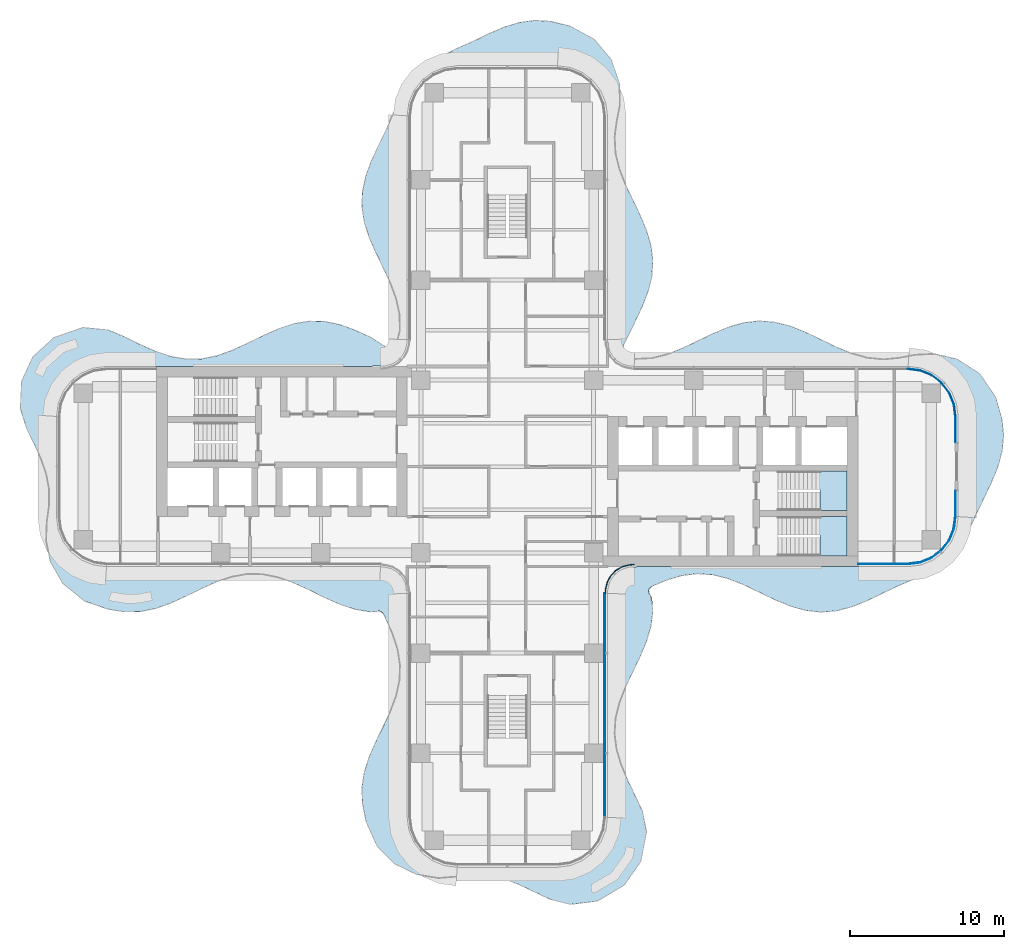
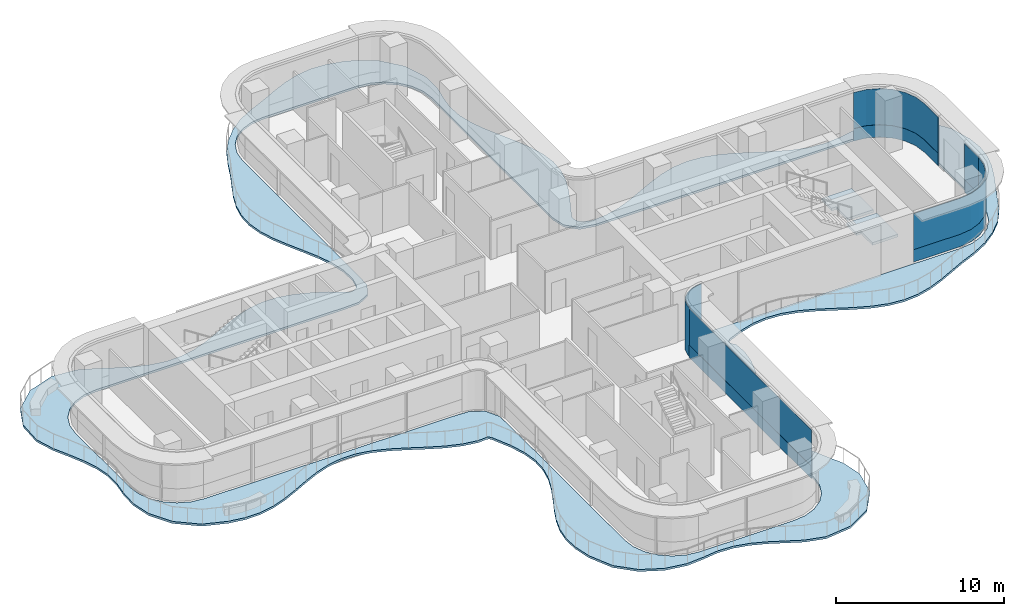
# One storey, part 10 of 17: 9 plates, 3 slabs, 7 elements without a shape of their own.
"""IFC4 building model written with IfcOpenShell, lengths in metres."""

from ifc_helpers import new_model, si_unit, direction, frame, origin, place, context, subcontext, project, spatial, polyline, outline, extrude, source, transform, mapped, material, layer, layer_set, type_object, element, aggregate, save


model = new_model("IFC4")

# Units and contexts
model_context = context("Model", 3, precision=1e-05, world=origin(), true_north=direction((0.0, 1.0)))
body_context = subcontext(model_context, "Body", "Model", "MODEL_VIEW")
ifc_project = project(units=[si_unit("LENGTHUNIT", "METRE"), si_unit("AREAUNIT", "SQUARE_METRE"), si_unit("VOLUMEUNIT", "CUBIC_METRE"), si_unit("PLANEANGLEUNIT", "RADIAN"), si_unit("MASSUNIT", "GRAM", prefix="KILO")], contexts=[model_context])

# Site, building, storey
site_placement = place(None, origin())
site = spatial("IfcSite", under=ifc_project, at=site_placement, CompositionType="ELEMENT")
building_placement = place(site_placement, origin())
building = spatial("IfcBuilding", under=site, at=building_placement, Name="Trellis Farm Tower", CompositionType="ELEMENT")
storey_placement = place(building_placement, frame((0.0, 0.0, 181.5)))
storey = spatial("IfcBuildingStorey", under=building, at=storey_placement, Name="L39", CompositionType="ELEMENT", Elevation=181.5)

# Slab
ifc_material_1 = material(Name="Concrete C40/50", Category="concrete")
ifc_layer_1 = layer(ifc_material_1, 0.14990234375)
ifc_layer_set_1 = layer_set([ifc_layer_1], Name="Balcony slab 150")
slab_type_1 = type_object("IfcSlabType", Name="Balcony slab 150", PredefinedType="FLOOR", material=ifc_layer_set_1)
slab_1_placement = place(storey_placement, frame((0.0, 0.0, -0.14990234375)))
element("IfcSlab", 1, at=slab_1_placement, inside=storey, type_object=slab_type_1, Name="Balcony slab", PredefinedType="FLOOR", context=body_context, shape_type="SweptSolid", body=[
    extrude(outline(polyline([(-9.884765625, -9.2626953125), (-10.86083984375, -8.93896484375), (-10.87451171875, -8.93359375), (-11.853515625, -8.498291015625), (-11.858642578125, -8.49609375), (-12.861328125, -8.0048828125), (-12.863037109375, -8.004150390625), (-13.86865234375, -7.542724609375), (-13.874755859375, -7.540283203125), (-14.876220703125, -7.183837890625), (-14.88671875, -7.180908203125), (-15.88134765625, -6.984130859375), (-15.89501953125, -6.982666015625), (-16.880615234375, -6.972412109375), (-16.894287109375, -6.973388671875), (-17.8740234375, -7.14697265625), (-17.885009765625, -7.14990234375), (-18.865478515625, -7.481201171875), (-18.8720703125, -7.483642578125), (-19.845703125, -7.91943359375), (-19.84814453125, -7.920654296875), (-20.85205078125, -8.41259765625), (-20.855712890625, -8.414306640625), (-21.852294921875, -8.869384765625), (-21.864501953125, -8.87451171875), (-22.827880859375, -9.216064453125), (-22.8486328125, -9.2216796875), (-23.819580078125, -9.4150390625), (-23.847412109375, -9.41796875), (-24.850341796875, -9.427490234375), (-24.87646484375, -9.425537109375), (-25.90869140625, -9.25341796875), (-25.933349609375, -9.247314453125), (-27.420166015625, -8.7314453125), (-27.444091796875, -8.720703125), (-27.4736328125, -8.7041015625), (-27.4951171875, -8.689697265625), (-28.79638671875, -7.63134765625), (-28.815673828125, -7.6123046875), (-28.838134765625, -7.586181640625), (-28.854248046875, -7.563232421875), (-29.639404296875, -6.19775390625), (-29.656494140625, -6.152587890625), (-29.919921875, -4.843505859375), (-29.9228515625, -4.808349609375), (-29.87890625, -3.591064453125), (-29.877685546875, -3.575927734375), (-29.725830078125, -2.478759765625), (-29.72509765625, -2.46826171875), (-29.729248046875, -1.473388671875), (-29.730712890625, -1.459716796875), (-29.91748046875, -0.480224609375), (-29.92041015625, -0.4697265625), (-30.25, 0.481201171875), (-30.252685546875, 0.487548828125), (-30.70703125, 1.492919921875), (-30.7080078125, 1.4951171875), (-31.188720703125, 2.475830078125), (-31.197265625, 2.496826171875), (-31.5888671875, 3.739013671875), (-31.594482421875, 3.764892578125), (-31.598876953125, 3.798583984375), (-31.60009765625, 3.82470703125), (-31.525390625, 5.461669921875), (-31.521484375, 5.48974609375), (-31.5126953125, 5.52587890625), (-31.50341796875, 5.552734375), (-30.82470703125, 7.046875), (-30.8095703125, 7.072998046875), (-30.78662109375, 7.104736328125), (-30.766357421875, 7.12744140625), (-29.40478515625, 8.36962890625), (-29.380126953125, 8.387939453125), (-29.345947265625, 8.408203125), (-29.318115234375, 8.4208984375), (-27.593994140625, 9.00927734375), (-27.563232421875, 9.016357421875), (-27.523193359375, 9.02099609375), (-27.490966796875, 9.021484375), (-25.921875, 8.8681640625), (-25.878173828125, 8.85693359375), (-24.856689453125, 8.42529296875), (-24.84912109375, 8.421875), (-23.844970703125, 7.929931640625), (-23.842529296875, 7.9287109375), (-22.837646484375, 7.479248046875), (-22.830810546875, 7.4765625), (-21.830078125, 7.1416015625), (-21.81884765625, 7.138916015625), (-20.82568359375, 6.9697265625), (-20.811767578125, 6.96875), (-19.82763671875, 6.9873046875), (-19.81396484375, 6.989013671875), (-18.834716796875, 7.18896484375), (-18.824462890625, 7.19189453125), (-17.843505859375, 7.543701171875), (-17.83740234375, 7.546142578125), (-16.851806640625, 7.99853515625), (-16.85009765625, 7.999267578125), (-15.85546875, 8.48681640625), (-15.850341796875, 8.489013671875), (-14.85546875, 8.93212890625), (-14.841552734375, 8.9375), (-13.855224609375, 9.26416015625), (-13.832763671875, 9.269775390625), (-12.855712890625, 9.43212890625), (-12.82763671875, 9.43408203125), (-11.85693359375, 9.41162109375), (-11.830078125, 9.408447265625), (-10.8828125, 9.212158203125), (-10.8623046875, 9.206298828125), (-9.873779296875, 8.85009765625), (-9.862060546875, 8.84521484375), (-8.8828125, 8.39404296875), (-8.864013671875, 8.3837890625), (-8.148681640625, 7.921142578125), (-8.142822265625, 7.917724609375), (-7.853271484375, 7.764892578125), (-7.8349609375, 7.758056640625), (-7.689697265625, 7.72509765625), (-7.65234375, 7.726318359375), (-7.509521484375, 7.76904296875), (-7.4921875, 7.77685546875), (-7.288818359375, 7.90087890625), (-7.276611328125, 7.91015625), (-7.190673828125, 7.990234375), (-7.17333984375, 8.014404296875), (-7.125732421875, 8.12158203125), (-7.12109375, 8.135986328125), (-6.972412109375, 8.8125), (-6.97119140625, 8.821533203125), (-6.9638671875, 8.897216796875), (-6.963623046875, 8.90673828125), (-6.99658203125, 9.8828125), (-6.998291015625, 9.89599609375), (-7.21142578125, 10.87548828125), (-7.21435546875, 10.885498046875), (-7.56494140625, 11.840087890625), (-7.567138671875, 11.845703125), (-8.03271484375, 12.8515625), (-8.033203125, 12.85302734375), (-8.523681640625, 13.85546875), (-8.526123046875, 13.86083984375), (-8.956298828125, 14.8388671875), (-8.961669921875, 14.85302734375), (-9.277099609375, 15.82861328125), (-9.282470703125, 15.851806640625), (-9.4375, 16.854736328125), (-9.439208984375, 16.88330078125), (-9.402099609375, 17.853515625), (-9.3984375, 17.88037109375), (-9.182373046875, 18.85205078125), (-9.176513671875, 18.871826171875), (-8.811767578125, 19.8505859375), (-8.80712890625, 19.861572265625), (-8.3466796875, 20.84912109375), (-8.345458984375, 20.851806640625), (-7.863525390625, 21.837158203125), (-7.86181640625, 21.841064453125), (-7.405517578125, 22.927001953125), (-7.40185546875, 22.93505859375), (-6.871337890625, 24.014892578125), (-6.858154296875, 24.03662109375), (-6.182861328125, 24.97021484375), (-6.169921875, 24.985595703125), (-5.413818359375, 25.779541015625), (-5.39697265625, 25.794921875), (-4.457763671875, 26.5205078125), (-4.433837890625, 26.535400390625), (-3.318115234375, 27.101806640625), (-3.310546875, 27.105224609375), (-2.255859375, 27.568603515625), (-2.253173828125, 27.570068359375), (-1.248291015625, 28.06005859375), (-1.2421875, 28.06298828125), (-0.248291015625, 28.4921875), (-0.233154296875, 28.497802734375), (0.751708984375, 28.801513671875), (0.775390625, 28.806884765625), (1.7509765625, 28.941650390625), (1.779541015625, 28.94287109375), (2.749755859375, 28.89111328125), (2.77685546875, 28.88720703125), (4.047119140625, 28.583251953125), (4.08447265625, 28.56884765625), (5.61083984375, 27.730224609375), (5.63427734375, 27.71435546875), (5.66162109375, 27.69189453125), (5.68115234375, 27.67236328125), (6.729736328125, 26.42041015625), (6.745361328125, 26.39794921875), (6.7626953125, 26.367431640625), (6.774169921875, 26.341796875), (7.26904296875, 24.886474609375), (7.27685546875, 24.8408203125), (7.301025390625, 23.474609375), (7.29833984375, 23.443603515625), (7.090087890625, 22.359619140625), (7.089599609375, 22.35546875), (6.95947265625, 21.388916015625), (6.958740234375, 21.374755859375), (7.018310546875, 20.32568359375), (7.0205078125, 20.3125), (7.2587890625, 19.333251953125), (7.26171875, 19.323974609375), (7.6318359375, 18.36572265625), (7.63427734375, 18.3603515625), (8.5927734375, 16.35986328125), (8.595703125, 16.353515625), (9.02099609375, 15.351806640625), (9.026611328125, 15.336181640625), (9.31298828125, 14.3798828125), (9.318115234375, 14.356201171875), (9.443359375, 13.38623046875), (9.4443359375, 13.357421875), (9.379638671875, 12.3544921875), (9.37548828125, 12.327880859375), (9.134033203125, 11.355712890625), (9.128173828125, 11.337158203125), (8.74462890625, 10.35693359375), (8.740478515625, 10.347412109375), (8.27099609375, 9.3583984375), (8.269775390625, 9.355712890625), (7.5478515625, 7.911376953125), (7.540283203125, 7.884521484375), (7.52001953125, 7.655029296875), (7.52294921875, 7.627197265625), (7.593505859375, 7.391845703125), (7.600341796875, 7.375732421875), (7.66796875, 7.2587890625), (7.69140625, 7.23388671875), (7.80419921875, 7.15966796875), (7.819580078125, 7.15185546875), (8.29248046875, 6.979736328125), (8.307861328125, 6.97607421875), (8.43701171875, 6.9580078125), (8.453369140625, 6.95751953125), (9.384521484375, 7.03076171875), (9.397216796875, 7.032958984375), (10.376708984375, 7.283935546875), (10.3857421875, 7.286865234375), (11.345947265625, 7.66650390625), (11.350830078125, 7.66845703125), (13.35009765625, 8.628173828125), (13.357177734375, 8.63134765625), (14.35888671875, 9.04931640625), (14.375244140625, 9.054931640625), (15.330078125, 9.329345703125), (15.3544921875, 9.334228515625), (16.324462890625, 9.44580078125), (16.35302734375, 9.4462890625), (17.326171875, 9.371826171875), (17.352294921875, 9.36767578125), (18.354736328125, 9.108642578125), (18.372802734375, 9.1025390625), (19.353515625, 8.71044921875), (19.36279296875, 8.706298828125), (21.34033203125, 7.755615234375), (21.343994140625, 7.75390625), (22.327392578125, 7.34619140625), (22.33544921875, 7.34326171875), (23.314697265625, 7.065185546875), (23.327392578125, 7.062744140625), (24.375, 6.953857421875), (24.389404296875, 6.953857421875), (25.3623046875, 7.040283203125), (25.36962890625, 7.04150390625), (26.451171875, 7.249267578125), (26.47216796875, 7.251708984375), (27.716796875, 7.31103515625), (27.758544921875, 7.30712890625), (29.168701171875, 6.97412109375), (29.215576171875, 6.954345703125), (30.596923828125, 6.064453125), (30.620361328125, 6.0458984375), (30.646484375, 6.02001953125), (30.665771484375, 5.997314453125), (31.663330078125, 4.5380859375), (31.68359375, 4.49462890625), (32.093994140625, 3.055419921875), (32.098876953125, 3.02880859375), (32.197021484375, 2.029052734375), (32.197021484375, 2.00048828125), (32.10302734375, 0.997802734375), (32.098388671875, 0.97216796875), (31.832275390625, -0.001220703125), (31.826416015625, -0.018310546875), (31.425537109375, -1.0), (31.422119140625, -1.0078125), (30.466796875, -3.006591796875), (30.466064453125, -3.0078125), (29.93994140625, -4.165283203125), (29.927490234375, -4.1875), (29.243408203125, -5.1943359375), (29.225341796875, -5.216064453125), (28.426513671875, -6.014404296875), (28.410888671875, -6.0283203125), (27.509521484375, -6.707763671875), (27.489990234375, -6.72021484375), (26.450927734375, -7.277099609375), (26.438232421875, -7.283203125), (25.341552734375, -7.74462890625), (25.338134765625, -7.74609375), (23.359130859375, -8.69775390625), (23.35009765625, -8.70166015625), (22.369384765625, -9.09619140625), (22.3515625, -9.10205078125), (21.378662109375, -9.359130859375), (21.35302734375, -9.363525390625), (20.38330078125, -9.447021484375), (20.3544921875, -9.44677734375), (19.38037109375, -9.34375), (19.35546875, -9.3388671875), (18.372314453125, -9.06201171875), (18.35546875, -9.055908203125), (17.35400390625, -8.640380859375), (17.346435546875, -8.636962890625), (15.347900390625, -7.67724609375), (15.3427734375, -7.675048828125), (14.340087890625, -7.279541015625), (14.330810546875, -7.276611328125), (13.333740234375, -7.0263671875), (13.32080078125, -7.024169921875), (12.33251953125, -6.95556640625), (12.318359375, -6.955810546875), (11.337646484375, -7.074462890625), (11.325439453125, -7.076904296875), (10.345947265625, -7.364013671875), (10.337890625, -7.36669921875), (9.361328125, -7.777587890625), (9.342041015625, -7.78955078125), (9.235595703125, -7.8798828125), (9.214599609375, -7.90869140625), (9.166015625, -8.02978515625), (9.160888671875, -8.064697265625), (9.173828125, -8.195068359375), (9.185791015625, -8.228271484375), (9.257568359375, -8.337646484375), (9.283447265625, -8.361572265625), (9.30810546875, -8.375244140625), (9.385009765625, -8.495361328125), (9.44580078125, -9.326904296875), (9.44482421875, -9.35595703125), (9.322265625, -10.359130859375), (9.31689453125, -10.3837890625), (9.027099609375, -11.35791015625), (9.021484375, -11.373779296875), (8.6044921875, -12.35693359375), (8.601806640625, -12.36328125), (7.652587890625, -14.340576171875), (7.650390625, -14.345703125), (7.26806640625, -15.327392578125), (7.264892578125, -15.3369140625), (7.0234375, -16.316162109375), (7.021484375, -16.3291015625), (6.955810546875, -17.311279296875), (6.956298828125, -17.325439453125), (7.0791015625, -18.31640625), (7.081787109375, -18.32861328125), (7.37890625, -19.32763671875), (7.381591796875, -19.335693359375), (7.81591796875, -20.355712890625), (7.8173828125, -20.358642578125), (8.753662109375, -22.311279296875), (8.765380859375, -22.3466796875), (9.036376953125, -23.69482421875), (9.039306640625, -23.724609375), (9.039306640625, -23.762451171875), (9.036376953125, -23.7919921875), (8.678955078125, -25.564453125), (8.669677734375, -25.59423828125), (8.65380859375, -25.631103515625), (8.638427734375, -25.658203125), (7.57568359375, -27.162841796875), (7.5546875, -27.186767578125), (7.5244140625, -27.21435546875), (7.498779296875, -27.2333984375), (5.91845703125, -28.160888671875), (5.890869140625, -28.173583984375), (5.853515625, -28.186279296875), (5.823974609375, -28.193115234375), (4.1162109375, -28.40771484375), (4.087890625, -28.408447265625), (4.05078125, -28.406005859375), (4.022705078125, -28.401611328125), (2.7783203125, -28.0771484375), (2.751708984375, -28.0673828125), (0.739501953125, -27.10888671875), (0.73388671875, -27.1064453125), (-0.222900390625, -26.74365234375), (-0.232421875, -26.74072265625), (-1.21142578125, -26.51171875), (-1.22509765625, -26.509765625), (-2.273193359375, -26.461181640625), (-2.286865234375, -26.4619140625), (-3.287109375, -26.599853515625), (-3.29541015625, -26.6005859375), (-4.480712890625, -26.69580078125), (-4.517822265625, -26.694091796875), (-5.888427734375, -26.4609375), (-5.92822265625, -26.448486328125), (-7.277587890625, -25.800048828125), (-7.318359375, -25.771240234375), (-8.41015625, -24.686279296875), (-8.427734375, -24.66552734375), (-8.44775390625, -24.63671875), (-8.46142578125, -24.612548828125), (-9.15283203125, -23.074462890625), (-9.1630859375, -23.04248046875), (-9.397216796875, -21.87353515625), (-9.400146484375, -21.849853515625), (-9.438232421875, -20.846923828125), (-9.436767578125, -20.818359375), (-9.287109375, -19.84814453125), (-9.28173828125, -19.825439453125), (-8.975341796875, -18.86669921875), (-8.969970703125, -18.852294921875), (-8.5322265625, -17.85107421875), (-8.529541015625, -17.84521484375), (-8.045654296875, -16.856201171875), (-8.045166015625, -16.854736328125), (-7.58642578125, -15.868896484375), (-7.583984375, -15.86328125), (-7.22021484375, -14.8818359375), (-7.21728515625, -14.8720703125), (-7.000732421875, -13.892578125), (-6.9990234375, -13.87939453125), (-6.96240234375, -12.89599609375), (-6.963134765625, -12.8818359375), (-7.114501953125, -11.8896484375), (-7.117431640625, -11.8779296875), (-7.45068359375, -10.84521484375), (-7.45361328125, -10.837158203125), (-8.021484375, -9.581787109375), (-8.03271484375, -9.563720703125), (-8.127685546875, -9.453125), (-8.158203125, -9.431884765625), (-8.287109375, -9.38427734375), (-8.323974609375, -9.380615234375), (-8.47119140625, -9.4033203125), (-8.483642578125, -9.40478515625), (-8.865234375, -9.431396484375), (-8.900634765625, -9.4296875), (-9.8623046875, -9.26806640625), (-9.884765625, -9.2626953125)]), holes=[polyline([(-7.816650390625, -6.56640625), (-7.064453125, -6.959228515625), (-7.02783203125, -6.986083984375), (-6.988037109375, -7.02587890625), (-6.961181640625, -7.0625), (-6.5673828125, -7.81396484375), (-6.555419921875, -7.8447265625), (-6.54443359375, -7.885498046875), (-6.539306640625, -7.918212890625), (-6.50048828125, -8.84814453125), (-6.50048828125, -22.75), (-6.389892578125, -23.59130859375), (-6.065185546875, -24.375244140625), (-5.548583984375, -25.048583984375), (-4.875244140625, -25.565185546875), (-4.09130859375, -25.889892578125), (-3.25, -26.00048828125), (3.25, -26.00048828125), (4.09130859375, -25.889892578125), (4.875244140625, -25.565185546875), (5.548583984375, -25.048583984375), (6.065185546875, -24.375244140625), (6.389892578125, -23.59130859375), (6.50048828125, -22.75), (6.50048828125, -8.386962890625), (6.503173828125, -8.362548828125), (6.68798828125, -7.46533203125), (6.702880859375, -7.424072265625), (6.728515625, -7.376953125), (6.75439453125, -7.34228515625), (7.344482421875, -6.753173828125), (7.379150390625, -6.727294921875), (7.426513671875, -6.70166015625), (7.4677734375, -6.686767578125), (8.365234375, -6.5029296875), (8.389404296875, -6.50048828125), (26.0, -6.50048828125), (26.84130859375, -6.389892578125), (27.625244140625, -6.065185546875), (28.298583984375, -5.548583984375), (28.815185546875, -4.875244140625), (29.139892578125, -4.09130859375), (29.25048828125, -3.25), (29.25048828125, 3.25), (29.139892578125, 4.09130859375), (28.815185546875, 4.875244140625), (28.298583984375, 5.548583984375), (27.625244140625, 6.065185546875), (26.84130859375, 6.389892578125), (26.0, 6.50048828125), (8.389404296875, 6.50048828125), (8.365234375, 6.5029296875), (7.4677734375, 6.686767578125), (7.426513671875, 6.70166015625), (7.379150390625, 6.727294921875), (7.344482421875, 6.753173828125), (6.75439453125, 7.34228515625), (6.728515625, 7.376953125), (6.702880859375, 7.424072265625), (6.68798828125, 7.46533203125), (6.503173828125, 8.362548828125), (6.50048828125, 8.386962890625), (6.50048828125, 22.75), (6.389892578125, 23.59130859375), (6.065185546875, 24.375244140625), (5.548583984375, 25.048583984375), (4.875244140625, 25.565185546875), (4.09130859375, 25.889892578125), (3.25, 26.00048828125), (-3.25, 26.00048828125), (-4.09130859375, 25.889892578125), (-4.875244140625, 25.565185546875), (-5.548583984375, 25.048583984375), (-6.065185546875, 24.375244140625), (-6.389892578125, 23.59130859375), (-6.50048828125, 22.75), (-6.50048828125, 8.844482421875), (-6.539306640625, 7.918212890625), (-6.544189453125, 7.8857421875), (-6.555419921875, 7.8447265625), (-6.5673828125, 7.81396484375), (-6.961181640625, 7.0625), (-6.988037109375, 7.02587890625), (-7.02783203125, 6.986083984375), (-7.064453125, 6.959228515625), (-7.816650390625, 6.56640625), (-7.847412109375, 6.5546875), (-7.88818359375, 6.543701171875), (-7.9208984375, 6.538818359375), (-8.84716796875, 6.50048828125), (-26.0, 6.50048828125), (-26.84130859375, 6.389892578125), (-27.625244140625, 6.065185546875), (-28.298583984375, 5.548583984375), (-28.815185546875, 4.875244140625), (-29.139892578125, 4.09130859375), (-29.25048828125, 3.25), (-29.25048828125, -3.25), (-29.139892578125, -4.09130859375), (-28.815185546875, -4.875244140625), (-28.298583984375, -5.548583984375), (-27.625244140625, -6.065185546875), (-26.84130859375, -6.389892578125), (-26.0, -6.50048828125), (-8.8505859375, -6.50048828125), (-7.9208984375, -6.538818359375), (-7.88818359375, -6.543701171875), (-7.847412109375, -6.5546875), (-7.816650390625, -6.56640625)])]), origin(), (0.0, 0.0, 1.0), 0.14990234375),
])

# Curtain wall, plate
ifc_material_2 = material(Name="Aluminium and glass curtain wall", Category="aluminium")
ifc_layer_2 = layer(ifc_material_2, 0.18994140625)
ifc_layer_set_2 = layer_set([ifc_layer_2], Name="RIBBON CURTAIN WALL CW1")
curtain_wall_type_1 = type_object("IfcCurtainWallType", Name="RIBBON CURTAIN WALL CW1", PredefinedType="NOTDEFINED", material=ifc_layer_set_2)
placement_1 = place(storey_placement, origin())
curtain_wall_1 = element("IfcCurtainWall", 2, at=placement_1, inside=storey, type_object=curtain_wall_type_1, Name="CW1 006", PredefinedType="NOTDEFINED")
ifc_material_3 = material(Name="Clear insulated glass", Category="glass")
ifc_layer_3 = layer(ifc_material_3, 0.0400390625)
ifc_layer_set_3 = layer_set([ifc_layer_3], Name="CW1 GLASS PANEL 40")
plate_type_1 = type_object("IfcPlateType", Name="CW1 GLASS PANEL 40", PredefinedType="CURTAIN_PANEL", material=ifc_layer_set_3)
placement_2 = place(storey_placement, frame((0.0, 0.0, 0.89990234375)))
plate_1 = element("IfcPlate", 3, at=placement_2, type_object=plate_type_1, Name="PL1 006", PredefinedType="CURTAIN_PANEL", context=body_context, shape_type="SweptSolid", body=[
    extrude(outline(polyline([(29.10009765625, -3.240234375), (29.10009765625, -1.56005859375), (29.06005859375, -1.56005859375), (29.06005859375, -3.237548828125), (29.10009765625, -3.240234375)])), origin(), (0.0, 0.0, 1.0), 2.6201171875),
])

curtain_wall_2 = element("IfcCurtainWall", 4, at=placement_1, inside=storey, type_object=curtain_wall_type_1, Name="CW1 007", PredefinedType="NOTDEFINED")
plate_2 = element("IfcPlate", 5, at=placement_2, type_object=plate_type_1, Name="PL1 007", PredefinedType="CURTAIN_PANEL", context=body_context, shape_type="SweptSolid", body=[
    extrude(outline(polyline([(29.10009765625, 1.56005859375), (29.10009765625, 3.240234375), (28.9931640625, 4.052001953125), (28.68359375, 4.79931640625), (28.191162109375, 5.441162109375), (27.54931640625, 5.93359375), (26.802001953125, 6.2431640625), (25.990234375, 6.35009765625), (25.987548828125, 6.31005859375), (26.79150390625, 6.2041015625), (27.529296875, 5.898681640625), (28.16259765625, 5.41259765625), (28.648681640625, 4.779296875), (28.9541015625, 4.04150390625), (29.06005859375, 3.237548828125), (29.06005859375, 1.56005859375), (29.10009765625, 1.56005859375)])), origin(), (0.0, 0.0, 1.0), 2.6201171875),
])

# Stair, slab
ifc_material_4 = material(Name="Concrete C50/60", Category="concrete")
stair_type = type_object("IfcStairType", Name="CORE EXIT STAIR 22 RISERS 177 MM", PredefinedType="HALF_TURN_STAIR", material=ifc_material_4)
stair_1 = element("IfcStair", 6, at=placement_1, inside=storey, type_object=stair_type, Name="Exit stair E1", PredefinedType="HALF_TURN_STAIR")
ifc_layer_4 = layer(ifc_material_4, 0.18994140625)
ifc_layer_set_4 = layer_set([ifc_layer_4], Name="CORE STAIR LANDING 190 CONCRETE C50/60")
slab_type_2 = type_object("IfcSlabType", Name="CORE STAIR LANDING 190 CONCRETE C50/60", PredefinedType="LANDING", material=ifc_layer_set_4)
shared_shape_1 = source(origin(), body_context, "Body", "SweptSolid", [
    extrude(outline(polyline([(20.2900390625, -5.800048828125), (20.2900390625, -4.60009765625), (20.300048828125, -4.60009765625), (20.300048828125, -4.449951171875), (19.971923828125, -4.449951171875), (19.971923828125, -3.25), (20.300048828125, -3.25), (22.050048828125, -3.25), (22.050048828125, -5.800048828125), (20.300048828125, -5.800048828125), (20.2900390625, -5.800048828125)])), origin(), (0.0, 0.0, 1.0), 0.18994140625),
])
placement_3 = place(storey_placement, frame((0.0, 0.0, 1.760009765625)))
slab_2 = element("IfcSlab", 7, at=placement_3, type_object=slab_type_2, Name="STE1 landing 1", PredefinedType="LANDING", context=body_context, shape_type="MappedRepresentation", body=[
    mapped(shared_shape_1, transform((0.0, 0.0, 0.0))),
])
aggregate(stair_1, [slab_2])

stair_2 = element("IfcStair", 8, at=placement_1, inside=storey, type_object=stair_type, Name="Exit stair E2", PredefinedType="HALF_TURN_STAIR")
shared_shape_2 = source(origin(), body_context, "Body", "SweptSolid", [
    extrude(outline(polyline([(20.2900390625, -2.85009765625), (20.2900390625, -1.64990234375), (20.300048828125, -1.64990234375), (20.300048828125, -1.5), (19.971923828125, -1.5), (19.971923828125, -0.300048828125), (20.300048828125, -0.300048828125), (22.050048828125, -0.300048828125), (22.050048828125, -2.85009765625), (20.300048828125, -2.85009765625), (20.2900390625, -2.85009765625)])), origin(), (0.0, 0.0, 1.0), 0.18994140625),
])
slab_3 = element("IfcSlab", 9, at=placement_3, type_object=slab_type_2, Name="STE2 landing 1", PredefinedType="LANDING", context=body_context, shape_type="MappedRepresentation", body=[
    mapped(shared_shape_2, transform((0.0, 0.0, 0.0))),
])
aggregate(stair_2, [slab_3])

# Curtain wall, plate
curtain_wall_3 = element("IfcCurtainWall", 10, at=placement_1, inside=storey, type_object=curtain_wall_type_1, Name="CW1 005", PredefinedType="NOTDEFINED")
ifc_material_5 = material(Name="Sandstone faced insulated panel", Category="masonry")
ifc_layer_5 = layer(ifc_material_5, 0.050048828125)
ifc_layer_set_5 = layer_set([ifc_layer_5], Name="CW1 STONE SPANDREL PANEL 50")
plate_type_2 = type_object("IfcPlateType", Name="CW1 STONE SPANDREL PANEL 50", PredefinedType="CURTAIN_PANEL", material=ifc_layer_set_5)
shared_shape_3 = source(origin(), body_context, "Body", "SweptSolid", [
    extrude(outline(polyline([(22.780029296875, -6.35009765625), (25.990234375, -6.35009765625), (26.802001953125, -6.2431640625), (27.54931640625, -5.93359375), (28.191162109375, -5.441162109375), (28.68359375, -4.79931640625), (28.9931640625, -4.052001953125), (29.10009765625, -3.240234375), (29.050048828125, -3.23681640625), (28.9443359375, -4.0390625), (28.639892578125, -4.774169921875), (28.155517578125, -5.405517578125), (27.524169921875, -5.889892578125), (26.7890625, -6.1943359375), (25.98681640625, -6.300048828125), (22.780029296875, -6.300048828125), (22.780029296875, -6.35009765625)])), origin(), (0.0, 0.0, 1.0), 0.89990234375),
])
plate_3 = element("IfcPlate", 11, at=placement_1, type_object=plate_type_2, Name="PS1 005", PredefinedType="CURTAIN_PANEL", context=body_context, shape_type="MappedRepresentation", body=[
    mapped(shared_shape_3, transform((0.0, 0.0, 0.0))),
])

curtain_wall_4 = element("IfcCurtainWall", 12, at=placement_1, inside=storey, type_object=curtain_wall_type_1, Name="CW1 004", PredefinedType="NOTDEFINED")
shared_shape_4 = source(origin(), body_context, "Body", "SweptSolid", [
    extrude(outline(polyline([(6.35009765625, -22.740234375), (6.35009765625, -8.2265625), (6.300048828125, -8.224853515625), (6.300048828125, -22.73681640625), (6.35009765625, -22.740234375)])), origin(), (0.0, 0.0, 1.0), 0.89990234375),
])
plate_4 = element("IfcPlate", 13, at=placement_1, type_object=plate_type_2, Name="PS1 004", PredefinedType="CURTAIN_PANEL", context=body_context, shape_type="MappedRepresentation", body=[
    mapped(shared_shape_4, transform((0.0, 0.0, 0.0))),
])

ifc_layer_6 = layer(ifc_material_2, 0.166015625)
ifc_layer_set_6 = layer_set([ifc_layer_6], Name="WINTER GARDEN CURTAIN WALL CW3")
curtain_wall_type_2 = type_object("IfcCurtainWallType", Name="WINTER GARDEN CURTAIN WALL CW3", PredefinedType="NOTDEFINED", material=ifc_layer_set_6)
curtain_wall_5 = element("IfcCurtainWall", 14, at=placement_1, inside=storey, type_object=curtain_wall_type_2, Name="CW3 002", PredefinedType="NOTDEFINED")
ifc_layer_7 = layer(ifc_material_3, 0.0458984375)
ifc_layer_set_7 = layer_set([ifc_layer_7], Name="CW3 GLASS PANEL 46")
plate_type_3 = type_object("IfcPlateType", Name="CW3 GLASS PANEL 46", PredefinedType="CURTAIN_PANEL", material=ifc_layer_set_7)
shared_shape_5 = source(origin(), body_context, "Body", "SweptSolid", [
    extrude(outline(polyline([(6.3798828125, -8.2275390625), (6.394287109375, -8.0078125), (6.40966796875, -7.89208984375), (6.52490234375, -7.462158203125), (6.7509765625, -7.070556640625), (7.070556640625, -6.7509765625), (7.462158203125, -6.52490234375), (7.89208984375, -6.40966796875), (8.0078125, -6.394287109375), (8.2275390625, -6.3798828125), (8.22607421875, -6.333984375), (8.003173828125, -6.3486328125), (7.883056640625, -6.364501953125), (7.4443359375, -6.48193359375), (7.04248046875, -6.714111328125), (6.714111328125, -7.04248046875), (6.48193359375, -7.4443359375), (6.364501953125, -7.883056640625), (6.3486328125, -8.003173828125), (6.333984375, -8.22607421875), (6.3798828125, -8.2275390625)])), origin(), (0.0, 0.0, 1.0), 3.550048828125),
])
plate_5 = element("IfcPlate", 15, at=placement_1, type_object=plate_type_3, Name="PL3 002", PredefinedType="CURTAIN_PANEL", context=body_context, shape_type="MappedRepresentation", body=[
    mapped(shared_shape_5, transform((0.0, 0.0, 0.0))),
])
aggregate(curtain_wall_5, [plate_5])

# Plate
shared_shape_6 = source(origin(), body_context, "Body", "SweptSolid", [
    extrude(outline(polyline([(22.780029296875, -6.35009765625), (25.990234375, -6.35009765625), (26.802001953125, -6.2431640625), (27.54931640625, -5.93359375), (28.191162109375, -5.441162109375), (28.68359375, -4.79931640625), (28.9931640625, -4.052001953125), (29.10009765625, -3.240234375), (29.06005859375, -3.237548828125), (28.9541015625, -4.04150390625), (28.648681640625, -4.779296875), (28.16259765625, -5.41259765625), (27.529296875, -5.898681640625), (26.79150390625, -6.2041015625), (25.987548828125, -6.31005859375), (22.780029296875, -6.31005859375), (22.780029296875, -6.35009765625)])), origin(), (0.0, 0.0, 1.0), 2.6201171875),
])
plate_6 = element("IfcPlate", 16, at=placement_2, type_object=plate_type_1, Name="PL1 005", PredefinedType="CURTAIN_PANEL", context=body_context, shape_type="MappedRepresentation", body=[
    mapped(shared_shape_6, transform((0.0, 0.0, 0.0))),
])

aggregate(curtain_wall_3, [plate_6, plate_3])

shared_shape_7 = source(origin(), body_context, "Body", "SweptSolid", [
    extrude(outline(polyline([(29.10009765625, -3.240234375), (29.10009765625, -1.56005859375), (29.050048828125, -1.56005859375), (29.050048828125, -3.23681640625), (29.10009765625, -3.240234375)])), origin(), (0.0, 0.0, 1.0), 0.89990234375),
])
plate_7 = element("IfcPlate", 17, at=placement_1, type_object=plate_type_2, Name="PS1 006", PredefinedType="CURTAIN_PANEL", context=body_context, shape_type="MappedRepresentation", body=[
    mapped(shared_shape_7, transform((0.0, 0.0, 0.0))),
])

aggregate(curtain_wall_1, [plate_1, plate_7])

shared_shape_8 = source(origin(), body_context, "Body", "SweptSolid", [
    extrude(outline(polyline([(29.10009765625, 1.56005859375), (29.10009765625, 3.240234375), (28.9931640625, 4.052001953125), (28.68359375, 4.79931640625), (28.191162109375, 5.441162109375), (27.54931640625, 5.93359375), (26.802001953125, 6.2431640625), (25.990234375, 6.35009765625), (25.98681640625, 6.300048828125), (26.7890625, 6.1943359375), (27.524169921875, 5.889892578125), (28.155517578125, 5.405517578125), (28.639892578125, 4.774169921875), (28.9443359375, 4.0390625), (29.050048828125, 3.23681640625), (29.050048828125, 1.56005859375), (29.10009765625, 1.56005859375)])), origin(), (0.0, 0.0, 1.0), 0.89990234375),
])
plate_8 = element("IfcPlate", 18, at=placement_1, type_object=plate_type_2, Name="PS1 007", PredefinedType="CURTAIN_PANEL", context=body_context, shape_type="MappedRepresentation", body=[
    mapped(shared_shape_8, transform((0.0, 0.0, 0.0))),
])

aggregate(curtain_wall_2, [plate_2, plate_8])

shared_shape_9 = source(origin(), body_context, "Body", "SweptSolid", [
    extrude(outline(polyline([(6.35009765625, -22.740234375), (6.35009765625, -8.2265625), (6.31005859375, -8.22509765625), (6.31005859375, -22.737548828125), (6.35009765625, -22.740234375)])), origin(), (0.0, 0.0, 1.0), 2.6201171875),
])
plate_9 = element("IfcPlate", 19, at=placement_2, type_object=plate_type_1, Name="PL1 004", PredefinedType="CURTAIN_PANEL", context=body_context, shape_type="MappedRepresentation", body=[
    mapped(shared_shape_9, transform((0.0, 0.0, 0.0))),
])

aggregate(curtain_wall_4, [plate_9, plate_4])

save(model, "model.ifc")
